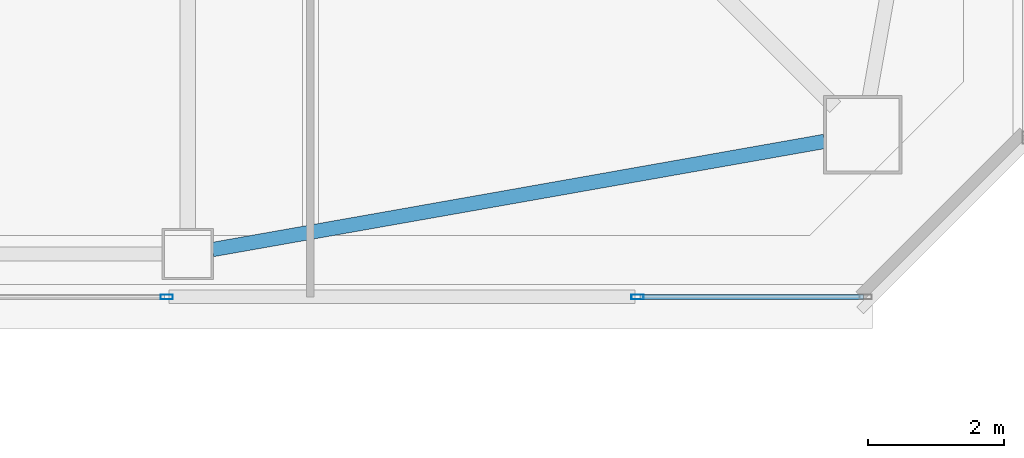
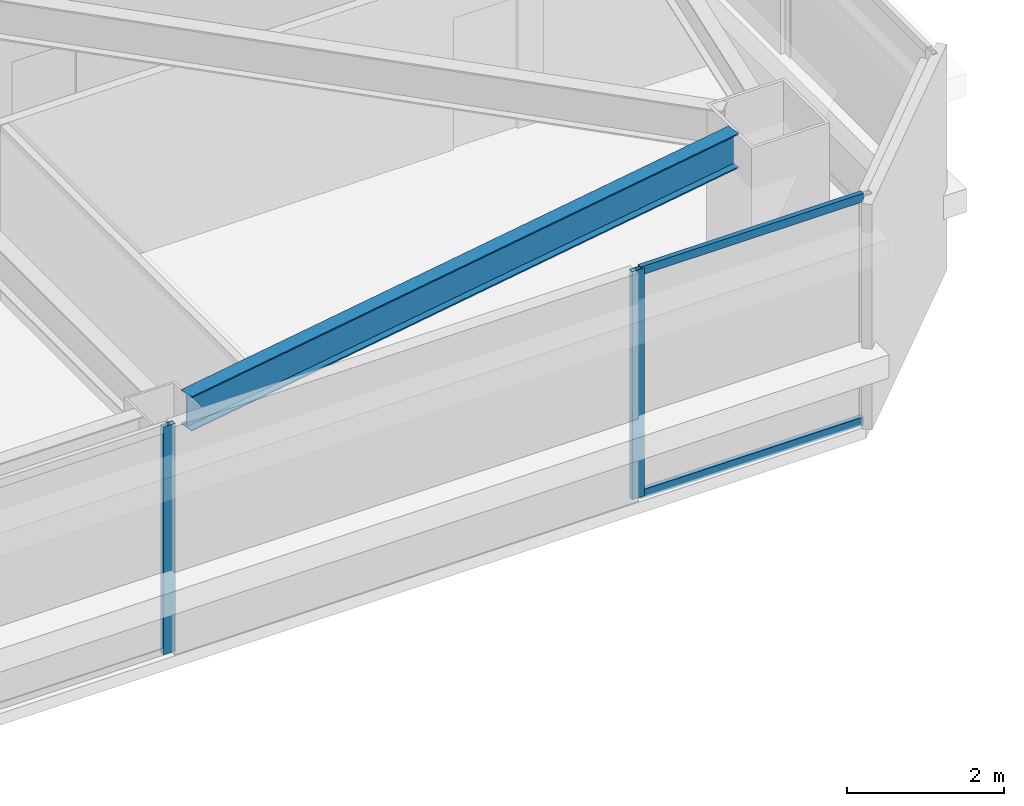
# One storey, part 5 of 41: 4 members, 1 beam, 2 elements without a shape of their own.
"""IFC4 building model written with IfcOpenShell, lengths in metres."""

from ifc_helpers import new_model, si_unit, direction, frame, origin, origin_2d, place, context, subcontext, project, spatial, hollow_rectangle, i_section, extrude, material, material_profile, profile_set, type_object, element, aggregate, save


model = new_model("IFC4")

# Units and contexts
model_context = context("Model", 3, precision=1e-05, world=origin(), true_north=direction((0.0, 1.0)))
body_context = subcontext(model_context, "Body", "Model", "MODEL_VIEW")
ifc_project = project(units=[si_unit("LENGTHUNIT", "METRE"), si_unit("AREAUNIT", "SQUARE_METRE"), si_unit("VOLUMEUNIT", "CUBIC_METRE"), si_unit("PLANEANGLEUNIT", "RADIAN"), si_unit("MASSUNIT", "GRAM", prefix="KILO")], contexts=[model_context])

# Site, building, storey
site_placement = place(None, origin())
site = spatial("IfcSite", under=ifc_project, at=site_placement, CompositionType="ELEMENT")
building_placement = place(site_placement, origin())
building = spatial("IfcBuilding", under=site, at=building_placement, Name="Tashvorn Skyway Center", CompositionType="ELEMENT")
storey_placement = place(building_placement, frame((0.0, 0.0, 171.199951171875)))
storey = spatial("IfcBuildingStorey", under=building, at=storey_placement, Name="L46", CompositionType="ELEMENT", Elevation=171.199951171875)

# Beam
ifc_material_1 = material(Name="Steel ASTM A992 Grade 50", Category="steel")
ifc_material_profile_1 = material_profile(ifc_material_1, i_section(OverallWidth=0.2109375, OverallDepth=0.5390625, WebThickness=0.01171875, FlangeThickness=0.018798828125, at=origin_2d()), Name="W21X73")
ifc_profile_set_1 = profile_set([ifc_material_profile_1], Name="Steel ASTM A992 Grade 50")
beam_type = type_object("IfcBeamType", Name="BM-SPANDREL-W21X73", PredefinedType="SPANDREL", material=ifc_profile_set_1)
beam_placement = place(storey_placement, frame((47.764404296875, 15.014404296875, 3.1005859375), z_axis=(0.984732545667, 0.174074160933, 0.0), x_axis=(-0.174074160933, 0.984732545667, 0.0)))
element("IfcBeam", 1, at=beam_placement, inside=storey, type_object=beam_type, Name="Tower 1 L46 Spandrel Beam 03", PredefinedType="SPANDREL", context=body_context, shape_type="SweptSolid", body=[
    extrude(i_section(OverallWidth=0.2109375, OverallDepth=0.5390625, WebThickness=0.01171875, FlangeThickness=0.018798828125, at=origin_2d()), origin(), (0.0, 0.0, 1.0), 9.113525390625),
])

# Curtain wall, member
ifc_material_2 = material(Name="Thermally broken bronze-anodized aluminium 6063-T6", Category="aluminium")
curtain_wall_type = type_object("IfcCurtainWallType", Name="CW-CW-Z4", PredefinedType="NOTDEFINED", material=ifc_material_2)
curtain_wall_1_placement = place(storey_placement, origin())
curtain_wall_1 = element("IfcCurtainWall", 2, at=curtain_wall_1_placement, inside=storey, type_object=curtain_wall_type, Name="Tower 1 L46 South Unitised Curtain Wall Glazing Group 1", PredefinedType="NOTDEFINED")
ifc_material_profile_2 = material_profile(ifc_material_2, hollow_rectangle(XDim=0.070068359375, YDim=0.179931640625, WallThickness=0.00390625, at=origin_2d()), Name="ALU-MULL-70x180")
ifc_profile_set_2 = profile_set([ifc_material_profile_2], Name="Thermally broken bronze-anodized aluminium 6063-T6")
member_type_1 = type_object("IfcMemberType", Name="CWM-CW-Z4", PredefinedType="MULLION", material=ifc_profile_set_2)
member_1_placement = place(storey_placement, frame((53.997314453125, 14.320068359375, 0.0), z_axis=(0.0, 0.0, 1.0), x_axis=(0.0, -1.0, 0.0)))
member_1 = element("IfcMember", 3, at=member_1_placement, type_object=member_type_1, Name="CW-Z4 mullion 2", PredefinedType="MULLION", context=body_context, shape_type="SweptSolid", body=[
    extrude(hollow_rectangle(XDim=0.070068359375, YDim=0.179931640625, WallThickness=0.00390625, at=origin_2d()), origin(), (0.0, 0.0, 1.0), 3.550048828125),
])

curtain_wall_2_placement = place(storey_placement, origin())
curtain_wall_2 = element("IfcCurtainWall", 4, at=curtain_wall_2_placement, inside=storey, type_object=curtain_wall_type, Name="Tower 1 L46 South Unitised Curtain Wall Glazing Group 2", PredefinedType="NOTDEFINED")
member_2_placement = place(storey_placement, frame((47.091796875, 14.320068359375, 0.0), z_axis=(0.0, 0.0, 1.0), x_axis=(0.0, -1.0, 0.0)))
member_2 = element("IfcMember", 5, at=member_2_placement, type_object=member_type_1, Name="CW-Z4 mullion 1", PredefinedType="MULLION", context=body_context, shape_type="SweptSolid", body=[
    extrude(hollow_rectangle(XDim=0.070068359375, YDim=0.179931640625, WallThickness=0.00390625, at=origin_2d()), origin(), (0.0, 0.0, 1.0), 3.550048828125),
])
aggregate(curtain_wall_2, [member_2])

# Member
ifc_material_profile_3 = material_profile(ifc_material_2, hollow_rectangle(XDim=0.070068359375, YDim=0.1298828125, WallThickness=0.00390625, at=origin_2d()), Name="ALU-TRAN-70x130")
ifc_profile_set_3 = profile_set([ifc_material_profile_3], Name="Thermally broken bronze-anodized aluminium 6063-T6")
member_type_2 = type_object("IfcMemberType", Name="CWT-CW-Z4", PredefinedType="USERDEFINED", material=ifc_profile_set_3)
member_3_placement = place(storey_placement, frame((57.31005859375, 14.320068359375, 0.03515625), z_axis=(-1.0, 0.0, 0.0), x_axis=(0.0, -1.0, 0.0)))
member_3 = element("IfcMember", 6, at=member_3_placement, type_object=member_type_2, Name="CW-Z4 transom 1.1", ObjectType="TRANSOM", PredefinedType="USERDEFINED", context=body_context, shape_type="SweptSolid", body=[
    extrude(hollow_rectangle(XDim=0.070068359375, YDim=0.1298828125, WallThickness=0.00390625, at=origin_2d()), origin(), (0.0, 0.0, 1.0), 3.27783203125),
])

member_4_placement = place(storey_placement, frame((57.31005859375, 14.320068359375, 3.51513671875), z_axis=(-1.0, 0.0, 0.0), x_axis=(0.0, -1.0, 0.0)))
member_4 = element("IfcMember", 7, at=member_4_placement, type_object=member_type_2, Name="CW-Z4 transom 1.2", ObjectType="TRANSOM", PredefinedType="USERDEFINED", context=body_context, shape_type="SweptSolid", body=[
    extrude(hollow_rectangle(XDim=0.070068359375, YDim=0.1298828125, WallThickness=0.00390625, at=origin_2d()), origin(), (0.0, 0.0, 1.0), 3.27783203125),
])

aggregate(curtain_wall_1, [member_1, member_3, member_4])

save(model, "model.ifc")
